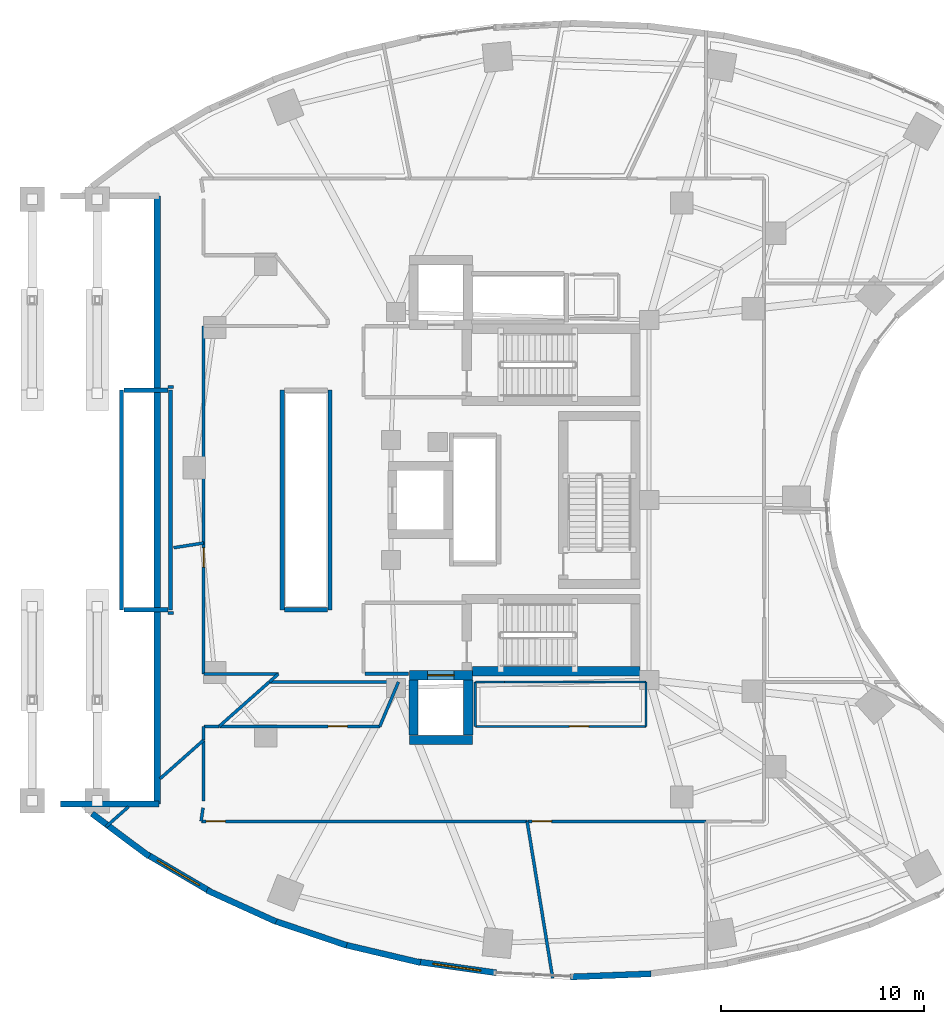
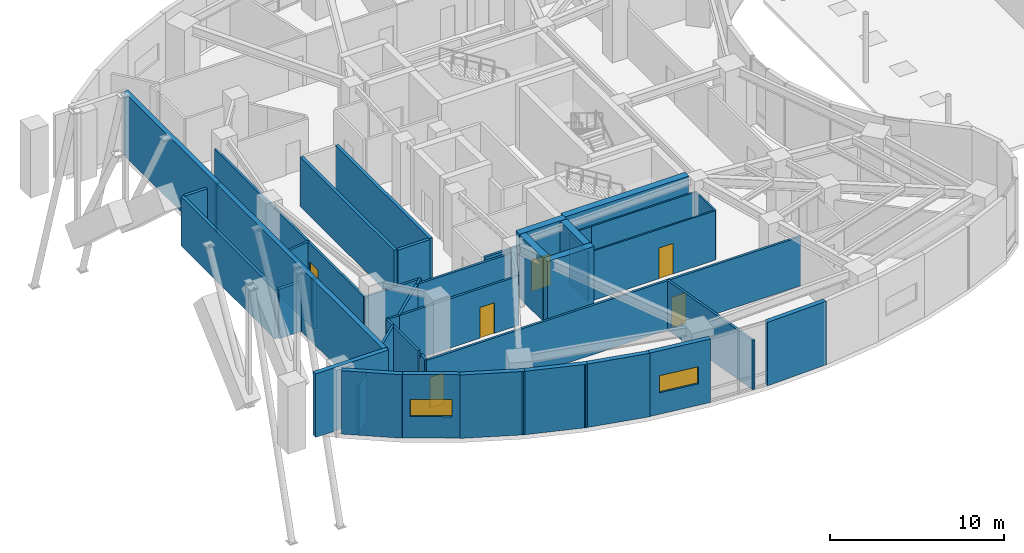
# One storey, part 15 of 24: 47 walls, 6 doors, 2 windows, 8 openings.
"""IFC4 building model written with IfcOpenShell, lengths in metres."""

import ifcopenshell
import ifcopenshell.guid

model = None  # the IFC model being written
_history = None  # IfcOwnerHistory: only IFC2X3 demands one
_inside = {}  # id of a spatial element -> (the spatial element, [elements in it])
_under = {}  # id of a project, library or spatial element -> (it, [spatial elements below it])
_declared = {}  # id of a project -> (the project, [libraries it declares])
_typed = {}  # id of a type object -> (the type object, [elements of that type])
_made_of = {}  # id of a material, layer set ... -> (it, [elements and type objects made of it])


def new_model(schema):
    """Start an empty IFC model of exactly this schema.

    Asked for "IFC4X3", IfcOpenShell would pick the latest addendum, in which some entities
    have other attributes; the version numbers below select the first issue.
    IFC2X3 requires an IfcOwnerHistory on every rooted entity: one is made here for all.
    """
    global model, _history
    if schema == "IFC4X3":
        model = ifcopenshell.file(schema_version=(4, 3, 0, 0))
    else:
        model = ifcopenshell.file(schema=schema)
    _inside.clear()
    _under.clear()
    _declared.clear()
    _typed.clear()
    _made_of.clear()
    _history = None
    if model.schema == "IFC2X3":
        org = make("IfcOrganization", Name="unknown")
        user = make(
            "IfcPersonAndOrganization",
            ThePerson=make("IfcPerson", FamilyName="unknown"),
            TheOrganization=org,
        )
        app = make(
            "IfcApplication",
            ApplicationDeveloper=org,
            Version="unknown",
            ApplicationFullName="unknown",
            ApplicationIdentifier="unknown",
        )
        _history = make(
            "IfcOwnerHistory",
            OwningUser=user,
            OwningApplication=app,
            ChangeAction="ADDED",
            CreationDate=0,
        )
    return model


def make(cls, **values):
    """One entity of the class cls with the attributes given. An attribute that is None is left unset."""
    return model.create_entity(
        cls, **{name: value for name, value in values.items() if value is not None}
    )


def rooted(cls, **values):
    """An entity with a GlobalId (a new one), such as an element, a storey or a relation."""
    return make(cls, GlobalId=ifcopenshell.guid.new(), OwnerHistory=_history, **values)


def si_unit(unit_type, name, prefix=None):
    """IfcSIUnit, for example si_unit("LENGTHUNIT", "METRE", prefix="MILLI")."""
    return make("IfcSIUnit", UnitType=unit_type, Prefix=prefix, Name=name)


def assignment(units):
    """IfcUnitAssignment: the units of a project."""
    return None if units is None else make("IfcUnitAssignment", Units=units)


def point(xyz):
    """IfcCartesianPoint."""
    return None if xyz is None else make("IfcCartesianPoint", Coordinates=xyz)


def direction(xyz):
    """IfcDirection."""
    return None if xyz is None else make("IfcDirection", DirectionRatios=xyz)


def frame(location, z_axis=None, x_axis=None):
    """IfcAxis2Placement3D, a coordinate frame: its origin and axes. An axis left out is left unset."""
    return make(
        "IfcAxis2Placement3D",
        Location=point(location),
        Axis=direction(z_axis),
        RefDirection=direction(x_axis),
    )


def frame_2d(location, x_axis=None):
    """IfcAxis2Placement2D, a coordinate frame in the plane: its origin and x axis."""
    return make(
        "IfcAxis2Placement2D", Location=point(location), RefDirection=direction(x_axis)
    )


def origin():
    """The frame at (0, 0, 0) with its axes left unset."""
    return frame((0.0, 0.0, 0.0))


def place(relative_to, where):
    """IfcLocalPlacement: puts the frame where relative to a parent placement (None: the world)."""
    return make(
        "IfcLocalPlacement", PlacementRelTo=relative_to, RelativePlacement=where
    )


def context(
    kind, dimensions, precision=None, world=None, true_north=None, identifier=None
):
    """IfcGeometricRepresentationContext, for example the 3D "Model" context."""
    return make(
        "IfcGeometricRepresentationContext",
        ContextIdentifier=identifier,
        ContextType=kind,
        CoordinateSpaceDimension=dimensions,
        Precision=precision,
        WorldCoordinateSystem=world,
        TrueNorth=true_north,
    )


def subcontext(parent, identifier, kind, view, scale=None):
    """IfcGeometricRepresentationSubContext, for example "Body" below "Model"."""
    return make(
        "IfcGeometricRepresentationSubContext",
        ContextIdentifier=identifier,
        ContextType=kind,
        ParentContext=parent,
        TargetScale=scale,
        TargetView=view,
    )


def project(units=None, contexts=None):
    """IfcProject with its units and contexts."""
    return rooted(
        "IfcProject",
        Name="project",
        RepresentationContexts=contexts,
        UnitsInContext=assignment(units),
    )


def spatial(cls, under=None, at=None, **own):
    """A site, building, storey or space (cls), placed at a placement, below another one or the project."""
    s = rooted(cls, ObjectPlacement=at, **own)
    if under is not None:
        _under.setdefault(under.id(), (under, []))[1].append(s)
    return s


def profile(cls, at=None, kind="AREA", **sizes):
    """A parametric profile (cls). Its sizes go by their IFC names, for example OverallWidth=200.0."""
    return make(cls, ProfileType=kind, Position=at, **sizes)


def rectangle(**sizes):
    """IfcRectangleProfileDef."""
    return profile("IfcRectangleProfileDef", **sizes)


def extrude(swept, where, along, depth):
    """IfcExtrudedAreaSolid: the profile swept, set in the frame where, extruded along a direction by depth."""
    return make(
        "IfcExtrudedAreaSolid",
        SweptArea=swept,
        Position=where,
        ExtrudedDirection=direction(along),
        Depth=depth,
    )


def shape(context_of_items, identifier, shape_type, items):
    """IfcShapeRepresentation: the items that make up one representation, for example the "Body"."""
    return make(
        "IfcShapeRepresentation",
        ContextOfItems=context_of_items,
        RepresentationIdentifier=identifier,
        RepresentationType=shape_type,
        Items=items,
    )


def material(Name=None, Category=None):
    """IfcMaterial."""
    return make("IfcMaterial", Name=Name, Category=Category)


def layer(
    of_material, thickness, ventilated=None, Name=None, Category=None, Priority=None
):
    """IfcMaterialLayer: one layer of a wall or slab, of a material (None: an air gap)."""
    return make(
        "IfcMaterialLayer",
        Material=of_material,
        LayerThickness=thickness,
        IsVentilated=ventilated,
        Name=Name,
        Category=Category,
        Priority=Priority,
    )


def layer_set(layers, Name=None):
    """IfcMaterialLayerSet."""
    return make("IfcMaterialLayerSet", MaterialLayers=layers, LayerSetName=Name)


def made_of(thing, what):
    """Note that an element or type object is made of a material, layer set ...; save() writes the relation."""
    if what is not None:
        _made_of.setdefault(what.id(), (what, []))[1].append(thing)
    return thing


def type_object(cls, material=None, **own):
    """A type object (cls), such as IfcWallType, which elements share."""
    return made_of(rooted(cls, **own), material)


def element(
    cls,
    number,
    at=None,
    inside=None,
    cuts=None,
    type_object=None,
    material=None,
    context=None,
    identifier="Body",
    shape_type=None,
    held_by="IfcProductDefinitionShape",
    body=None,
    shapes=None,
    **own,
):
    """One element of the class cls, such as IfcWall. Its Tag is "e" and its number.

    at: its placement. inside: the storey or other place that contains it. cuts: it is an
    opening in that element (IfcRelVoidsElement). A single representation is given by context,
    identifier, shape_type and body (its items); several are given by shapes. held_by: the class
    of the entity that holds the representations. save() writes the other relations.
    """
    e = rooted(cls, Tag="e%d" % number, ObjectPlacement=at, **own)
    if body is not None:
        shapes = [shape(context, identifier, shape_type, body)]
    if shapes is not None:
        e.Representation = make(held_by, Representations=shapes)
    if inside is not None:
        _inside.setdefault(inside.id(), (inside, []))[1].append(e)
    if cuts is not None:
        rooted(
            "IfcRelVoidsElement", RelatingBuildingElement=cuts, RelatedOpeningElement=e
        )
    if type_object is not None:
        _typed.setdefault(type_object.id(), (type_object, []))[1].append(e)
    return made_of(e, material)


def fill(opening, filler):
    """IfcRelFillsElement: the door or window that sits in an opening."""
    return rooted(
        "IfcRelFillsElement",
        RelatingOpeningElement=opening,
        RelatedBuildingElement=filler,
    )


def aggregate(whole, parts):
    """IfcRelAggregates: a whole, such as a stair, and the parts it consists of."""
    return rooted("IfcRelAggregates", RelatingObject=whole, RelatedObjects=parts)


def save(model, path):
    """Write the relations noted so far, then the file.

    IfcRelAggregates (storeys below a building ...), IfcRelContainedInSpatialStructure (elements
    in a storey), IfcRelDefinesByType, IfcRelAssociatesMaterial and IfcRelDeclares: one each for
    every whole, place, type object, material and project.
    """
    for whole, parts in _under.values():
        aggregate(whole, parts)
    for where, things in _inside.values():
        rooted(
            "IfcRelContainedInSpatialStructure",
            RelatedElements=things,
            RelatingStructure=where,
        )
    for kind, things in _typed.values():
        rooted("IfcRelDefinesByType", RelatedObjects=things, RelatingType=kind)
    for what, things in _made_of.values():
        rooted("IfcRelAssociatesMaterial", RelatedObjects=things, RelatingMaterial=what)
    for by, libraries in _declared.values():
        rooted("IfcRelDeclares", RelatingContext=by, RelatedDefinitions=libraries)
    model.write(path)


model = new_model("IFC4")

# Units and contexts
model_context = context("Model", 3, precision=1e-05, world=origin(), true_north=direction((0.0, 1.0)))
body_context = subcontext(model_context, "Body", "Model", "MODEL_VIEW")
ifc_project = project(units=[si_unit("LENGTHUNIT", "METRE"), si_unit("AREAUNIT", "SQUARE_METRE"), si_unit("VOLUMEUNIT", "CUBIC_METRE"), si_unit("PLANEANGLEUNIT", "RADIAN"), si_unit("MASSUNIT", "GRAM", prefix="KILO")], contexts=[model_context])

# Site, building, storey
site_placement = place(None, origin())
site = spatial("IfcSite", under=ifc_project, at=site_placement, CompositionType="ELEMENT")
building_placement = place(site_placement, origin())
building = spatial("IfcBuilding", under=site, at=building_placement, Name="Korentha Bioscience Tower", CompositionType="ELEMENT")
storey_placement = place(building_placement, frame((0.0, 0.0, 10.199951171875)))
storey = spatial("IfcBuildingStorey", under=building, at=storey_placement, Name="L02", CompositionType="ELEMENT", Elevation=10.199951171875)

# Wall, opening, door
ifc_material_1 = material(Name="Double-Stud Acoustic Gypsum", Category="gypsum")
ifc_layer_1 = layer(ifc_material_1, 0.14990234375, Name="Double-Stud Acoustic Gypsum")
ifc_layer_set_1 = layer_set([ifc_layer_1], Name="Double-Stud Acoustic Gypsum (IW-L150)")
wall_type_1 = type_object("IfcWallType", Name="Acoustic Laboratory Partition Wall 150", PredefinedType="PARTITIONING", material=ifc_layer_set_1)
wall_1_placement = place(storey_placement, frame((15.6298828125, 24.884521484375, 0.0), z_axis=(0.0, 0.0, 1.0), x_axis=(0.0, -1.0, 0.0)))
wall_1 = element("IfcWall", 1, at=wall_1_placement, inside=storey, type_object=wall_type_1, Name="L02 Translational Symposium Lecture Room 01 Entrance Wall", PredefinedType="PARTITIONING", context=body_context, shape_type="SweptSolid", body=[
    extrude(rectangle(XDim=6.4345703125, YDim=0.14990234375, at=frame_2d((3.21728515625, 0.0))), origin(), (0.0, 0.0, 1.0), 3.4599609375),
])
opening_1_placement = place(wall_1_placement, frame((0.239990234375, 0.0, 0.0)))
opening_1 = element("IfcOpeningElement", 2, at=opening_1_placement, cuts=wall_1, Name="Opening ID-10R", PredefinedType="OPENING", context=body_context, shape_type="SweptSolid", body=[
    extrude(rectangle(XDim=0.949951171875, YDim=2.14990234375, at=frame_2d((0.47509765625, 1.074951171875))), frame((0.0, 0.08984375, 0.0), z_axis=(0.0, -1.0, 0.0), x_axis=(1.0, 0.0, 0.0)), (0.0, 0.0, 1.0), 0.1796875),
])
ifc_material_2 = material(Name="Phenolic Laminate Timber Core", Category="wood")
door_type_1 = type_object("IfcDoorType", Name="Laboratory Single Leaf Door 950x2150 Right", OperationType="SINGLE_SWING_RIGHT", PredefinedType="DOOR", material=ifc_material_2)
door_1_placement = place(opening_1_placement, origin())
door_1 = element("IfcDoor", 3, at=door_1_placement, inside=storey, type_object=door_type_1, Name="L02 Translational Symposium Lecture Room 01 Door", OperationType="SINGLE_SWING_RIGHT", OverallHeight=2.14990234375, OverallWidth=0.949951171875, PredefinedType="DOOR", context=body_context, shape_type="SweptSolid", body=[
    extrude(rectangle(XDim=0.949951171875, YDim=2.14990234375, at=frame_2d((0.47509765625, 1.074951171875))), frame((0.0, 0.02490234375, 0.0), z_axis=(0.0, -1.0, 0.0), x_axis=(1.0, 0.0, 0.0)), (0.0, 0.0, 1.0), 0.050048828125),
])
fill(opening_1, door_1)

wall_2_placement = place(storey_placement, frame((24.29833984375, 15.860107421875, 0.0), z_axis=(0.0, 0.0, 1.0), x_axis=(-1.0, 0.0, 0.0)))
wall_2 = element("IfcWall", 4, at=wall_2_placement, inside=storey, type_object=wall_type_1, Name="L02 Academic Poster Exhibition Lounge 02 Entrance Wall", PredefinedType="PARTITIONING", context=body_context, shape_type="SweptSolid", body=[
    extrude(rectangle(XDim=7.8916015625, YDim=0.14990234375, at=frame_2d((3.94580078125, 0.0))), origin(), (0.0, 0.0, 1.0), 3.4599609375),
])
opening_2_placement = place(wall_2_placement, frame((1.596435546875, 0.0, 0.0)))
opening_2 = element("IfcOpeningElement", 5, at=opening_2_placement, cuts=wall_2, Name="Opening ID-10L", PredefinedType="OPENING", context=body_context, shape_type="SweptSolid", body=[
    extrude(rectangle(XDim=0.949951171875, YDim=2.14990234375, at=frame_2d((0.47509765625, 1.074951171875))), frame((0.0, 0.08984375, 0.0), z_axis=(0.0, -1.0, 0.0), x_axis=(1.0, 0.0, 0.0)), (0.0, 0.0, 1.0), 0.1796875),
])
door_type_2 = type_object("IfcDoorType", Name="Laboratory Single Leaf Door 950x2150 Left", OperationType="SINGLE_SWING_LEFT", PredefinedType="DOOR", material=ifc_material_2)
door_2_placement = place(opening_2_placement, origin())
door_2 = element("IfcDoor", 6, at=door_2_placement, inside=storey, type_object=door_type_2, Name="L02 Academic Poster Exhibition Lounge 02 Door", OperationType="SINGLE_SWING_LEFT", OverallHeight=2.14990234375, OverallWidth=0.949951171875, PredefinedType="DOOR", context=body_context, shape_type="SweptSolid", body=[
    extrude(rectangle(XDim=0.949951171875, YDim=2.14990234375, at=frame_2d((0.47509765625, 1.074951171875))), frame((0.0, 0.02490234375, 0.0), z_axis=(0.0, -1.0, 0.0), x_axis=(1.0, 0.0, 0.0)), (0.0, 0.0, 1.0), 0.050048828125),
])
fill(opening_2, door_2)

wall_3_placement = place(storey_placement, frame((15.51806640625, 11.18994140625, 0.0), z_axis=(0.0, 0.0, 1.0), x_axis=(1.0, 0.0, 0.0)))
wall_3 = element("IfcWall", 7, at=wall_3_placement, inside=storey, type_object=wall_type_1, Name="L02 Industry Incubator Co-Working Studio 03 Entrance Wall", PredefinedType="PARTITIONING", context=body_context, shape_type="SweptSolid", body=[
    extrude(rectangle(XDim=16.0302734375, YDim=0.14990234375, at=frame_2d((8.01513671875, 0.0))), origin(), (0.0, 0.0, 1.0), 3.4599609375),
])
opening_3_placement = place(wall_3_placement, frame((0.239990234375, 0.0, 0.0)))
opening_3 = element("IfcOpeningElement", 8, at=opening_3_placement, cuts=wall_3, Name="Opening ID-10R", PredefinedType="OPENING", context=body_context, shape_type="SweptSolid", body=[
    extrude(rectangle(XDim=0.949951171875, YDim=2.14990234375, at=frame_2d((0.47509765625, 1.074951171875))), frame((0.0, 0.08984375, 0.0), z_axis=(0.0, -1.0, 0.0), x_axis=(1.0, 0.0, 0.0)), (0.0, 0.0, 1.0), 0.1796875),
])
door_3_placement = place(opening_3_placement, origin())
door_3 = element("IfcDoor", 9, at=door_3_placement, inside=storey, type_object=door_type_1, Name="L02 Industry Incubator Co-Working Studio 03 Door", OperationType="SINGLE_SWING_RIGHT", OverallHeight=2.14990234375, OverallWidth=0.949951171875, PredefinedType="DOOR", context=body_context, shape_type="SweptSolid", body=[
    extrude(rectangle(XDim=0.949951171875, YDim=2.14990234375, at=frame_2d((0.47509765625, 1.074951171875))), frame((0.0, 0.02490234375, 0.0), z_axis=(0.0, -1.0, 0.0), x_axis=(1.0, 0.0, 0.0)), (0.0, 0.0, 1.0), 0.050048828125),
])
fill(opening_3, door_3)

wall_4_placement = place(storey_placement, frame((31.55859375, 11.18994140625, 0.0), z_axis=(0.0, 0.0, 1.0), x_axis=(1.0, 0.0, 0.0)))
wall_4 = element("IfcWall", 10, at=wall_4_placement, inside=storey, type_object=wall_type_1, Name="L02 Bioscience Reference Library 05 Entrance Wall", PredefinedType="PARTITIONING", context=body_context, shape_type="SweptSolid", body=[
    extrude(rectangle(XDim=8.789306640625, YDim=0.14990234375, at=frame_2d((4.39453125, 0.0))), origin(), (0.0, 0.0, 1.0), 3.4599609375),
])
opening_4_placement = place(wall_4_placement, frame((0.239990234375, 0.0, 0.0)))
opening_4 = element("IfcOpeningElement", 11, at=opening_4_placement, cuts=wall_4, Name="Opening ID-10R", PredefinedType="OPENING", context=body_context, shape_type="SweptSolid", body=[
    extrude(rectangle(XDim=0.949951171875, YDim=2.14990234375, at=frame_2d((0.47509765625, 1.074951171875))), frame((0.0, 0.08984375, 0.0), z_axis=(0.0, -1.0, 0.0), x_axis=(1.0, 0.0, 0.0)), (0.0, 0.0, 1.0), 0.1796875),
])
door_4_placement = place(opening_4_placement, origin())
door_4 = element("IfcDoor", 12, at=door_4_placement, inside=storey, type_object=door_type_1, Name="L02 Bioscience Reference Library 05 Door", OperationType="SINGLE_SWING_RIGHT", OverallHeight=2.14990234375, OverallWidth=0.949951171875, PredefinedType="DOOR", context=body_context, shape_type="SweptSolid", body=[
    extrude(rectangle(XDim=0.949951171875, YDim=2.14990234375, at=frame_2d((0.47509765625, 1.074951171875))), frame((0.0, 0.02490234375, 0.0), z_axis=(0.0, -1.0, 0.0), x_axis=(1.0, 0.0, 0.0)), (0.0, 0.0, 1.0), 0.050048828125),
])
fill(opening_4, door_4)

# Walls
wall_5_placement = place(storey_placement, frame((13.8798828125, 21.43994140625, 0.0), z_axis=(0.0, 0.0, 1.0), x_axis=(1.0, 0.0, 0.0)))
element("IfcWall", 13, at=wall_5_placement, inside=storey, type_object=wall_type_1, Name="L02 Interior Partition 024", PredefinedType="PARTITIONING", context=body_context, shape_type="SweptSolid", body=[
    extrude(rectangle(XDim=0.27001953125, YDim=0.14990234375, at=frame_2d((0.135009765625, 0.0))), origin(), (0.0, 0.0, 1.0), 3.4599609375),
])
wall_6_placement = place(storey_placement, frame((14.16015625, 24.65185546875, 0.0), z_axis=(0.0, 0.0, 1.0), x_axis=(0.987700362049, 0.156358545686, 0.0)))
element("IfcWall", 14, at=wall_6_placement, inside=storey, type_object=wall_type_1, Name="L02 Interior Partition 025", PredefinedType="PARTITIONING", context=body_context, shape_type="SweptSolid", body=[
    extrude(rectangle(XDim=1.488037109375, YDim=0.14990234375, at=frame_2d((0.744140625, 0.0))), origin(), (0.0, 0.0, 1.0), 3.4599609375),
])
wall_7_placement = place(storey_placement, frame((15.639892578125, 18.43994140625, 0.0), z_axis=(0.0, 0.0, 1.0), x_axis=(1.0, 0.0, 0.0)))
element("IfcWall", 15, at=wall_7_placement, inside=storey, type_object=wall_type_1, Name="L02 Interior Partition 026", PredefinedType="PARTITIONING", context=body_context, shape_type="SweptSolid", body=[
    extrude(rectangle(XDim=3.6650390625, YDim=0.14990234375, at=frame_2d((1.83251953125, 0.0))), origin(), (0.0, 0.0, 1.0), 3.4599609375),
])
wall_8_placement = place(storey_placement, frame((19.304931640625, 18.43994140625, 0.0), z_axis=(0.0, 0.0, 1.0), x_axis=(-0.748582262775, -0.66304192617, 0.0)))
element("IfcWall", 16, at=wall_8_placement, inside=storey, type_object=wall_type_1, Name="L02 Interior Partition 027", PredefinedType="PARTITIONING", context=body_context, shape_type="SweptSolid", body=[
    extrude(rectangle(XDim=0.585205078125, YDim=0.14990234375, at=frame_2d((0.29248046875, 0.0))), origin(), (0.0, 0.0, 1.0), 3.4599609375),
])
wall_9_placement = place(storey_placement, frame((18.8623046875, 18.0478515625, 0.0), z_axis=(0.0, 0.0, 1.0), x_axis=(-0.748677348716, -0.662934557494, 0.0)))
element("IfcWall", 17, at=wall_9_placement, inside=storey, type_object=wall_type_1, Name="L02 Interior Partition 028", PredefinedType="PARTITIONING", context=body_context, shape_type="SweptSolid", body=[
    extrude(rectangle(XDim=3.300048828125, YDim=0.14990234375, at=frame_2d((1.64990234375, 0.0))), origin(), (0.0, 0.0, 1.0), 3.4599609375),
])
wall_10_placement = place(storey_placement, frame((16.3916015625, 15.860107421875, 0.0), z_axis=(0.0, 0.0, 1.0), x_axis=(-1.0, 0.0, 0.0)))
element("IfcWall", 18, at=wall_10_placement, inside=storey, type_object=wall_type_1, Name="L02 Interior Partition 029", PredefinedType="PARTITIONING", context=body_context, shape_type="SweptSolid", body=[
    extrude(rectangle(XDim=0.751708984375, YDim=0.14990234375, at=frame_2d((0.3759765625, 0.0))), origin(), (0.0, 0.0, 1.0), 3.4599609375),
])
wall_11_placement = place(storey_placement, frame((15.6298828125, 15.85009765625, 0.0), z_axis=(0.0, 0.0, 1.0), x_axis=(0.0, -1.0, 0.0)))
element("IfcWall", 19, at=wall_11_placement, inside=storey, type_object=wall_type_1, Name="L02 Interior Partition 030", PredefinedType="PARTITIONING", context=body_context, shape_type="SweptSolid", body=[
    extrude(rectangle(XDim=0.664794921875, YDim=0.14990234375, at=frame_2d((0.33251953125, 0.0))), origin(), (0.0, 0.0, 1.0), 3.4599609375),
])
wall_12_placement = place(storey_placement, frame((15.6298828125, 15.185302734375, 0.0), z_axis=(0.0, 0.0, 1.0), x_axis=(-0.748642683945, -0.662973703683, 0.0)))
element("IfcWall", 20, at=wall_12_placement, inside=storey, type_object=wall_type_1, Name="L02 Interior Partition 031", PredefinedType="PARTITIONING", context=body_context, shape_type="SweptSolid", body=[
    extrude(rectangle(XDim=2.8583984375, YDim=0.14990234375, at=frame_2d((1.42919921875, 0.0))), origin(), (0.0, 0.0, 1.0), 3.4599609375),
])
wall_13_placement = place(storey_placement, frame((25.21630859375, 18.048095703125, 0.0), z_axis=(0.0, 0.0, 1.0), x_axis=(-0.386879098856, -0.922130447859, 0.0)))
element("IfcWall", 21, at=wall_13_placement, inside=storey, type_object=wall_type_1, Name="L02 Interior Partition 032", PredefinedType="PARTITIONING", context=body_context, shape_type="SweptSolid", body=[
    extrude(rectangle(XDim=2.372802734375, YDim=0.14990234375, at=frame_2d((1.1865234375, 0.0))), origin(), (0.0, 0.0, 1.0), 3.4599609375),
])
wall_14_placement = place(storey_placement, frame((18.87744140625, 18.048095703125, 0.0), z_axis=(0.0, 0.0, 1.0), x_axis=(1.0, 0.0, 0.0)))
element("IfcWall", 22, at=wall_14_placement, inside=storey, type_object=wall_type_1, Name="L02 Interior Partition 033", PredefinedType="PARTITIONING", context=body_context, shape_type="SweptSolid", body=[
    extrude(rectangle(XDim=6.3388671875, YDim=0.14990234375, at=frame_2d((3.16943359375, 0.0))), origin(), (0.0, 0.0, 1.0), 3.4599609375),
])
wall_15_placement = place(storey_placement, frame((10.822021484375, 10.922119140625, 0.0), z_axis=(0.0, 0.0, 1.0), x_axis=(0.748655562424, 0.662959160772, 0.0)))
element("IfcWall", 23, at=wall_15_placement, inside=storey, type_object=wall_type_1, Name="L02 Interior Partition 034", PredefinedType="PARTITIONING", context=body_context, shape_type="SweptSolid", body=[
    extrude(rectangle(XDim=1.489990234375, YDim=0.14990234375, at=frame_2d((0.7451171875, 0.0))), origin(), (0.0, 0.0, 1.0), 3.4599609375),
])
wall_16_placement = place(storey_placement, frame((15.6298828125, 15.172119140625, 0.0), z_axis=(0.0, 0.0, 1.0), x_axis=(0.0, -1.0, 0.0)))
element("IfcWall", 24, at=wall_16_placement, inside=storey, type_object=wall_type_1, Name="L02 Interior Partition 035", PredefinedType="PARTITIONING", context=body_context, shape_type="SweptSolid", body=[
    extrude(rectangle(XDim=2.971923828125, YDim=0.14990234375, at=frame_2d((1.48583984375, 0.0))), origin(), (0.0, 0.0, 1.0), 3.4599609375),
])
wall_17_placement = place(storey_placement, frame((15.60546875, 11.857421875, 0.0), z_axis=(0.0, 0.0, 1.0), x_axis=(-0.146882189547, -0.989153993266, 0.0)))
element("IfcWall", 25, at=wall_17_placement, inside=storey, type_object=wall_type_1, Name="L02 Interior Partition 036", PredefinedType="PARTITIONING", context=body_context, shape_type="SweptSolid", body=[
    extrude(rectangle(XDim=0.6630859375, YDim=0.14990234375, at=frame_2d((0.33154296875, 0.0))), origin(), (0.0, 0.0, 1.0), 3.4599609375),
])
wall_18_placement = place(storey_placement, frame((31.54833984375, 11.18994140625, 0.0), z_axis=(0.0, 0.0, 1.0), x_axis=(0.160873008384, -0.986975113756, 0.0)))
element("IfcWall", 26, at=wall_18_placement, inside=storey, type_object=wall_type_1, Name="L02 Interior Partition 037", PredefinedType="PARTITIONING", context=body_context, shape_type="SweptSolid", body=[
    extrude(rectangle(XDim=7.817138671875, YDim=0.14990234375, at=frame_2d((3.90869140625, 0.0))), origin(), (0.0, 0.0, 1.0), 3.4599609375),
])
wall_19_placement = place(storey_placement, frame((15.6298828125, 35.550048828125, 0.0), z_axis=(0.0, 0.0, 1.0), x_axis=(0.0, -1.0, 0.0)))
element("IfcWall", 27, at=wall_19_placement, inside=storey, type_object=wall_type_1, Name="L02 Interior Partition 064", PredefinedType="PARTITIONING", context=body_context, shape_type="SweptSolid", body=[
    extrude(rectangle(XDim=10.655517578125, YDim=0.14990234375, at=frame_2d((5.32763671875, 0.0))), origin(), (0.0, 0.0, 1.0), 3.4599609375),
])
wall_20_placement = place(storey_placement, frame((14.14990234375, 32.56005859375, 0.0), z_axis=(0.0, 0.0, 1.0), x_axis=(-1.0, 0.0, 0.0)))
element("IfcWall", 28, at=wall_20_placement, inside=storey, type_object=wall_type_1, Name="L02 Interior Partition 065", PredefinedType="PARTITIONING", context=body_context, shape_type="SweptSolid", body=[
    extrude(rectangle(XDim=0.27001953125, YDim=0.14990234375, at=frame_2d((0.135009765625, 0.0))), origin(), (0.0, 0.0, 1.0), 3.4599609375),
])

# Wall, opening, door
ifc_material_3 = material(Name="Fire-Rated Framed Glass", Category="glass")
ifc_layer_2 = layer(ifc_material_3, 0.110107421875, Name="Fire-Rated Framed Glass")
ifc_layer_set_2 = layer_set([ifc_layer_2], Name="Fire-Rated Framed Glass (IW-G110)")
wall_type_2 = type_object("IfcWallType", Name="Demountable Glazed Office Partition 110", PredefinedType="MOVABLE", material=ifc_layer_set_2)
wall_21_placement = place(storey_placement, frame((37.389892578125, 15.860107421875, 0.0), z_axis=(0.0, 0.0, 1.0), x_axis=(-1.0, 0.0, 0.0)))
wall_21 = element("IfcWall", 29, at=wall_21_placement, inside=storey, type_object=wall_type_2, Name="L02 Visiting Scholars' Seminar Suite 04 Entrance Wall", PredefinedType="MOVABLE", context=body_context, shape_type="SweptSolid", body=[
    extrude(rectangle(XDim=8.389892578125, YDim=0.110107421875, at=frame_2d((4.19482421875, 0.0))), origin(), (0.0, 0.0, 1.0), 3.4599609375),
])
opening_5_placement = place(wall_21_placement, frame((2.818603515625, 0.0, 0.0)))
opening_5 = element("IfcOpeningElement", 30, at=opening_5_placement, cuts=wall_21, Name="Opening ID-10L", PredefinedType="OPENING", context=body_context, shape_type="SweptSolid", body=[
    extrude(rectangle(XDim=0.949951171875, YDim=2.14990234375, at=frame_2d((0.47509765625, 1.074951171875))), frame((0.0, 0.06982421875, 0.0), z_axis=(0.0, -1.0, 0.0), x_axis=(1.0, 0.0, 0.0)), (0.0, 0.0, 1.0), 0.139892578125),
])
door_5_placement = place(opening_5_placement, origin())
door_5 = element("IfcDoor", 31, at=door_5_placement, inside=storey, type_object=door_type_2, Name="L02 Visiting Scholars' Seminar Suite 04 Door", OperationType="SINGLE_SWING_LEFT", OverallHeight=2.14990234375, OverallWidth=0.949951171875, PredefinedType="DOOR", context=body_context, shape_type="SweptSolid", body=[
    extrude(rectangle(XDim=0.949951171875, YDim=2.14990234375, at=frame_2d((0.47509765625, 1.074951171875))), frame((0.0, 0.02490234375, 0.0), z_axis=(0.0, -1.0, 0.0), x_axis=(1.0, 0.0, 0.0)), (0.0, 0.0, 1.0), 0.050048828125),
])
fill(opening_5, door_5)

# Walls
wall_22_placement = place(storey_placement, frame((29.0, 18.048095703125, 0.0), z_axis=(0.0, 0.0, 1.0), x_axis=(1.0, 0.0, 0.0)))
element("IfcWall", 32, at=wall_22_placement, inside=storey, type_object=wall_type_2, Name="L02 Interior Partition 038", PredefinedType="MOVABLE", context=body_context, shape_type="SweptSolid", body=[
    extrude(rectangle(XDim=1.430419921875, YDim=0.110107421875, at=frame_2d((0.71533203125, 0.0))), origin(), (0.0, 0.0, 1.0), 3.4599609375),
])
wall_23_placement = place(storey_placement, frame((30.434814453125, 18.048095703125, 0.0), z_axis=(0.0, 0.0, 1.0), x_axis=(1.0, 0.0, 0.0)))
element("IfcWall", 33, at=wall_23_placement, inside=storey, type_object=wall_type_2, Name="L02 Interior Partition 039", PredefinedType="MOVABLE", context=body_context, shape_type="SweptSolid", body=[
    extrude(rectangle(XDim=6.955078125, YDim=0.110107421875, at=frame_2d((3.4775390625, 0.0))), origin(), (0.0, 0.0, 1.0), 3.4599609375),
])
wall_24_placement = place(storey_placement, frame((37.389892578125, 18.048095703125, 0.0), z_axis=(0.0, 0.0, 1.0), x_axis=(0.0, -1.0, 0.0)))
element("IfcWall", 34, at=wall_24_placement, inside=storey, type_object=wall_type_2, Name="L02 Interior Partition 040", PredefinedType="MOVABLE", context=body_context, shape_type="SweptSolid", body=[
    extrude(rectangle(XDim=2.18798828125, YDim=0.110107421875, at=frame_2d((1.093994140625, 0.0))), origin(), (0.0, 0.0, 1.0), 3.4599609375),
])
wall_25_placement = place(storey_placement, frame((29.0, 15.860107421875, 0.0), z_axis=(0.0, 0.0, 1.0), x_axis=(0.0, 1.0, 0.0)))
element("IfcWall", 35, at=wall_25_placement, inside=storey, type_object=wall_type_2, Name="L02 Interior Partition 041", PredefinedType="MOVABLE", context=body_context, shape_type="SweptSolid", body=[
    extrude(rectangle(XDim=2.187744140625, YDim=0.110107421875, at=frame_2d((1.09375, 0.0))), origin(), (0.0, 0.0, 1.0), 3.4599609375),
])
ifc_material_4 = material(Name="Gypsum-Clad Steel Stud", Category="steel")
ifc_layer_3 = layer(ifc_material_4, 0.159912109375, Name="Gypsum-Clad Steel Stud")
ifc_layer_set_3 = layer_set([ifc_layer_3], Name="Gypsum-Clad Steel Stud (IW-C160)")
wall_type_3 = type_object("IfcWallType", Name="Fire-Rated Corridor Partition Wall 160", PredefinedType="PARTITIONING", material=ifc_layer_set_3)
wall_26_placement = place(storey_placement, frame((23.580078125, 18.449951171875, 0.0), z_axis=(0.0, 0.0, 1.0), x_axis=(1.0, 0.0, 0.0)))
element("IfcWall", 36, at=wall_26_placement, inside=storey, type_object=wall_type_3, Name="L02 Firefighting Lobby Return Wall FFLS-S", PredefinedType="PARTITIONING", context=body_context, shape_type="SweptSolid", body=[
    extrude(rectangle(XDim=2.119873046875, YDim=0.159912109375, at=frame_2d((1.06005859375, 0.0))), origin(), (0.0, 0.0, 1.0), 3.4599609375),
])

# Wall, opening, window
ifc_material_5 = material(Name="Honed Limestone Precast Concrete C40", Category="masonry")
ifc_layer_4 = layer(ifc_material_5, 0.300048828125, Name="Honed Limestone Precast Concrete C40")
ifc_layer_set_4 = layer_set([ifc_layer_4], Name="Honed Limestone Precast Concrete C40 (EW-ST300)")
wall_type_4 = type_object("IfcWallType", Name="Honed Limestone Cavity Spandrel Wall 300", PredefinedType="STANDARD", material=ifc_layer_set_4)
wall_27_placement = place(storey_placement, frame((12.8427734375, 9.569091796875, 0.0), z_axis=(0.0, 0.0, 1.0), x_axis=(0.862473134325, -0.506102847817, 0.0)))
wall_27 = element("IfcWall", 37, at=wall_27_placement, inside=storey, type_object=wall_type_4, Name="L02 Honed Limestone Spandrel Wall 26", PredefinedType="STANDARD", context=body_context, shape_type="SweptSolid", body=[
    extrude(rectangle(XDim=3.59521484375, YDim=0.300048828125, at=frame_2d((1.797607421875, 0.0))), origin(), (0.0, 0.0, 1.0), 4.449951171875),
])
opening_6_placement = place(wall_27_placement, frame((0.59765625, 0.0, 1.5)))
opening_6 = element("IfcOpeningElement", 38, at=opening_6_placement, cuts=wall_27, Name="Opening WN-04", PredefinedType="OPENING", context=body_context, shape_type="SweptSolid", body=[
    extrude(rectangle(XDim=2.39990234375, YDim=1.199951171875, at=frame_2d((1.199951171875, 0.60009765625))), frame((0.0, 0.1650390625, 0.0), z_axis=(0.0, -1.0, 0.0), x_axis=(1.0, 0.0, 0.0)), (0.0, 0.0, 1.0), 0.329833984375),
])
ifc_material_6 = material(Name="Thermally Broken Aluminium Triple Glazing", Category="aluminium")
window_type = type_object("IfcWindowType", Name="Podium Clerestory Ribbon Window 2400x1200", PartitioningType="DOUBLE_PANEL_HORIZONTAL", PredefinedType="WINDOW", material=ifc_material_6)
window_1_placement = place(opening_6_placement, origin())
window_1 = element("IfcWindow", 39, at=window_1_placement, inside=storey, type_object=window_type, Name="L02 Facade Window 26", OverallHeight=1.199951171875, OverallWidth=2.39990234375, PartitioningType="DOUBLE_PANEL_HORIZONTAL", PredefinedType="WINDOW", context=body_context, shape_type="SweptSolid", body=[
    extrude(rectangle(XDim=2.39990234375, YDim=1.199951171875, at=frame_2d((1.199951171875, 0.60009765625))), frame((0.0, 0.030029296875, 0.0), z_axis=(0.0, -1.0, 0.0), x_axis=(1.0, 0.0, 0.0)), (0.0, 0.0, 1.0), 0.06005859375),
])
fill(opening_6, window_1)

wall_28_placement = place(storey_placement, frame((26.150390625, 4.2900390625, 0.0), z_axis=(0.0, 0.0, 1.0), x_axis=(0.990165573956, -0.139900450869, 0.0)))
wall_28 = element("IfcWall", 40, at=wall_28_placement, inside=storey, type_object=wall_type_4, Name="L02 Honed Limestone Spandrel Wall 30", PredefinedType="STANDARD", context=body_context, shape_type="SweptSolid", body=[
    extrude(rectangle(XDim=3.910888671875, YDim=0.300048828125, at=frame_2d((1.95556640625, 0.0))), origin(), (0.0, 0.0, 1.0), 4.449951171875),
])
opening_7_placement = place(wall_28_placement, frame((0.755615234375, 0.0, 1.5)))
opening_7 = element("IfcOpeningElement", 41, at=opening_7_placement, cuts=wall_28, Name="Opening WN-04", PredefinedType="OPENING", context=body_context, shape_type="SweptSolid", body=[
    extrude(rectangle(XDim=2.39990234375, YDim=1.199951171875, at=frame_2d((1.199951171875, 0.60009765625))), frame((0.0, 0.1650390625, 0.0), z_axis=(0.0, -1.0, 0.0), x_axis=(1.0, 0.0, 0.0)), (0.0, 0.0, 1.0), 0.329833984375),
])
window_2_placement = place(opening_7_placement, origin())
window_2 = element("IfcWindow", 42, at=window_2_placement, inside=storey, type_object=window_type, Name="L02 Facade Window 30", OverallHeight=1.199951171875, OverallWidth=2.39990234375, PartitioningType="DOUBLE_PANEL_HORIZONTAL", PredefinedType="WINDOW", context=body_context, shape_type="SweptSolid", body=[
    extrude(rectangle(XDim=2.39990234375, YDim=1.199951171875, at=frame_2d((1.199951171875, 0.60009765625))), frame((0.0, 0.030029296875, 0.0), z_axis=(0.0, -1.0, 0.0), x_axis=(1.0, 0.0, 0.0)), (0.0, 0.0, 1.0), 0.06005859375),
])
fill(opening_7, window_2)

# Walls
wall_29_placement = place(storey_placement, frame((10.141845703125, 11.573486328125, 0.0), z_axis=(0.0, 0.0, 1.0), x_axis=(0.800823020995, -0.598901067827, 0.0)))
element("IfcWall", 43, at=wall_29_placement, inside=storey, type_object=wall_type_4, Name="L02 Limestone Perimeter Closure Wall 25", PredefinedType="STANDARD", context=body_context, shape_type="SweptSolid", body=[
    extrude(rectangle(XDim=3.520751953125, YDim=0.300048828125, at=frame_2d((1.76025390625, 0.0))), origin(), (0.0, 0.0, 1.0), 4.449951171875),
])
wall_30_placement = place(storey_placement, frame((15.7958984375, 7.80224609375, 0.0), z_axis=(0.0, 0.0, 1.0), x_axis=(0.910623406862, -0.413237233166, 0.0)))
element("IfcWall", 44, at=wall_30_placement, inside=storey, type_object=wall_type_4, Name="L02 Limestone Perimeter Closure Wall 27", PredefinedType="STANDARD", context=body_context, shape_type="SweptSolid", body=[
    extrude(rectangle(XDim=3.73974609375, YDim=0.300048828125, at=frame_2d((1.869873046875, 0.0))), origin(), (0.0, 0.0, 1.0), 4.449951171875),
])
wall_31_placement = place(storey_placement, frame((19.0400390625, 6.32080078125, 0.0), z_axis=(0.0, 0.0, 1.0), x_axis=(0.94702579403, -0.321157508773, 0.0)))
element("IfcWall", 45, at=wall_31_placement, inside=storey, type_object=wall_type_4, Name="L02 Limestone Perimeter Closure Wall 28", PredefinedType="STANDARD", context=body_context, shape_type="SweptSolid", body=[
    extrude(rectangle(XDim=3.829833984375, YDim=0.300048828125, at=frame_2d((1.9150390625, 0.0))), origin(), (0.0, 0.0, 1.0), 4.449951171875),
])
wall_32_placement = place(storey_placement, frame((22.50048828125, 5.138427734375, 0.0), z_axis=(0.0, 0.0, 1.0), x_axis=(0.973197600754, -0.229970497863, 0.0)))
element("IfcWall", 46, at=wall_32_placement, inside=storey, type_object=wall_type_4, Name="L02 Limestone Perimeter Closure Wall 29", PredefinedType="STANDARD", context=body_context, shape_type="SweptSolid", body=[
    extrude(rectangle(XDim=3.9013671875, YDim=0.300048828125, at=frame_2d((1.95068359375, 0.0))), origin(), (0.0, 0.0, 1.0), 4.449951171875),
])
wall_33_placement = place(storey_placement, frame((33.66796875, 3.53759765625, 0.0), z_axis=(0.0, 0.0, 1.0), x_axis=(0.999245411623, 0.038840794937, 0.0)))
element("IfcWall", 47, at=wall_33_placement, inside=storey, type_object=wall_type_4, Name="L02 Limestone Perimeter Closure Wall 32", PredefinedType="STANDARD", context=body_context, shape_type="SweptSolid", body=[
    extrude(rectangle(XDim=3.978759765625, YDim=0.300048828125, at=frame_2d((1.9892578125, 0.0))), origin(), (0.0, 0.0, 1.0), 4.449951171875),
])
wall_34_placement = place(storey_placement, frame((13.35009765625, 12.050048828125, 0.0), z_axis=(0.0, 0.0, 1.0), x_axis=(0.0, 1.0, 0.0)))
element("IfcWall", 48, at=wall_34_placement, inside=storey, type_object=wall_type_4, Name="L02 Arch Plaza Recess East Enclosure Wall", PredefinedType="STANDARD", context=body_context, shape_type="SweptSolid", body=[
    extrude(rectangle(XDim=29.89990234375, YDim=0.300048828125, at=frame_2d((14.949951171875, 0.0))), origin(), (0.0, 0.0, 1.0), 4.449951171875),
])
wall_35_placement = place(storey_placement, frame((8.60009765625, 12.050048828125, 0.0), z_axis=(0.0, 0.0, 1.0), x_axis=(1.0, 0.0, 0.0)))
element("IfcWall", 49, at=wall_35_placement, inside=storey, type_object=wall_type_4, Name="L02 Arch Plaza Recess South Cheek Wall", PredefinedType="STANDARD", context=body_context, shape_type="SweptSolid", body=[
    extrude(rectangle(XDim=4.849853515625, YDim=0.300048828125, at=frame_2d((2.4248046875, 0.0))), origin(), (0.0, 0.0, 1.0), 4.449951171875),
])
ifc_material_7 = material(Name="Autoclaved Aerated Concrete Block C25", Category="concrete")
ifc_layer_5 = layer(ifc_material_7, 0.199951171875, Name="Autoclaved Aerated Concrete Block C25")
ifc_layer_set_5 = layer_set([ifc_layer_5], Name="Autoclaved Aerated Concrete Block C25 (IW-S200)")
wall_type_5 = type_object("IfcWallType", Name="Lift and Riser Shaft Enclosure Wall 200", PredefinedType="PARTITIONING", material=ifc_layer_set_5)
for number, where, z_axis, x_axis, name in (
    (50, (11.60009765625, 21.60009765625, 0.0), (0.0, 0.0, 1.0), (0.0, 1.0, 0.0), "L02 Lift Bank LOW Shaft Wall -X"),
    (51, (14.0, 21.60009765625, 0.0), (0.0, 0.0, 1.0), (0.0, 1.0, 0.0), "L02 Lift Bank LOW Shaft Wall +X"),
):
    element("IfcWall", number, at=place(storey_placement, frame(where, z_axis=z_axis, x_axis=x_axis)), inside=storey, type_object=wall_type_5, Name=name, PredefinedType="PARTITIONING", context=body_context, shape_type="SweptSolid", body=[
        extrude(rectangle(XDim=10.7998046875, YDim=0.199951171875, at=frame_2d((5.39990234375, 0.0))), origin(), (0.0, 0.0, 1.0), 3.4599609375),
    ])
for number, where, z_axis, x_axis, name in (
    (52, (11.719970703125, 21.60009765625, 0.0), (0.0, 0.0, 1.0), (1.0, 0.0, 0.0), "L02 Lift Bank LOW Shaft Wall -Y"),
    (53, (11.719970703125, 32.39990234375, 0.0), (0.0, 0.0, 1.0), (1.0, 0.0, 0.0), "L02 Lift Bank LOW Shaft Wall +Y"),
):
    element("IfcWall", number, at=place(storey_placement, frame(where, z_axis=z_axis, x_axis=x_axis)), inside=storey, type_object=wall_type_5, Name=name, PredefinedType="PARTITIONING", context=body_context, shape_type="SweptSolid", body=[
        extrude(rectangle(XDim=2.159912109375, YDim=0.199951171875, at=frame_2d((1.080078125, 0.0))), origin(), (0.0, 0.0, 1.0), 3.4599609375),
    ])
for number, where, z_axis, x_axis, name in (
    (54, (19.5, 21.60009765625, 0.0), (0.0, 0.0, 1.0), (0.0, 1.0, 0.0), "L02 Lift Bank MID Shaft Wall -X"),
    (55, (21.85009765625, 21.60009765625, 0.0), (0.0, 0.0, 1.0), (0.0, 1.0, 0.0), "L02 Lift Bank MID Shaft Wall +X"),
):
    element("IfcWall", number, at=place(storey_placement, frame(where, z_axis=z_axis, x_axis=x_axis)), inside=storey, type_object=wall_type_5, Name=name, PredefinedType="PARTITIONING", context=body_context, shape_type="SweptSolid", body=[
        extrude(rectangle(XDim=10.7998046875, YDim=0.199951171875, at=frame_2d((5.39990234375, 0.0))), origin(), (0.0, 0.0, 1.0), 3.4599609375),
    ])
wall_36_placement = place(storey_placement, frame((19.6201171875, 21.60009765625, 0.0), z_axis=(0.0, 0.0, 1.0), x_axis=(1.0, 0.0, 0.0)))
element("IfcWall", 56, at=wall_36_placement, inside=storey, type_object=wall_type_5, Name="L02 Lift Bank MID Shaft Wall -Y", PredefinedType="PARTITIONING", context=body_context, shape_type="SweptSolid", body=[
    extrude(rectangle(XDim=2.10986328125, YDim=0.199951171875, at=frame_2d((1.054931640625, 0.0))), origin(), (0.0, 0.0, 1.0), 3.4599609375),
])
ifc_material_8 = material(Name="Concrete C80", Category="concrete")
ifc_layer_6 = layer(ifc_material_8, 0.449951171875, Name="Concrete C80")
ifc_layer_set_6 = layer_set([ifc_layer_6], Name="Concrete C80 (CW-C80)")
wall_type_6 = type_object("IfcWallType", Name="Lower Core Shear Wall 450", PredefinedType="SHEAR", material=ifc_layer_set_6)
wall_37_placement = place(storey_placement, frame((28.85205078125, 18.574951171875, 0.0), z_axis=(0.0, 0.0, 1.0), x_axis=(1.0, 0.0, 0.0)))
element("IfcWall", 57, at=wall_37_placement, inside=storey, type_object=wall_type_6, Name="L02 Core Shear Wall ST2-S", PredefinedType="SHEAR", context=body_context, shape_type="SweptSolid", body=[
    extrude(rectangle(XDim=8.248046875, YDim=0.449951171875, at=frame_2d((4.1240234375, 0.0))), origin(), (0.0, 0.0, 1.0), 4.449951171875),
])
wall_38_placement = place(storey_placement, frame((25.75, 15.199951171875, 0.0), z_axis=(0.0, 0.0, 1.0), x_axis=(1.0, 0.0, 0.0)))
element("IfcWall", 58, at=wall_38_placement, inside=storey, type_object=wall_type_6, Name="L02 Core Shear Wall FFL1-S", PredefinedType="SHEAR", context=body_context, shape_type="SweptSolid", body=[
    extrude(rectangle(XDim=3.10009765625, YDim=0.449951171875, at=frame_2d((1.550048828125, 0.0))), origin(), (0.0, 0.0, 1.0), 4.449951171875),
])

# Wall, opening, door
wall_39_placement = place(storey_placement, frame((25.75, 18.3798828125, 0.0), z_axis=(0.0, 0.0, 1.0), x_axis=(1.0, 0.0, 0.0)))
wall_39 = element("IfcWall", 59, at=wall_39_placement, inside=storey, type_object=wall_type_6, Name="L02 Core Shear Wall FFL1-N", PredefinedType="SHEAR", context=body_context, shape_type="SweptSolid", body=[
    extrude(rectangle(XDim=3.10009765625, YDim=0.449951171875, at=frame_2d((1.550048828125, 0.0))), origin(), (0.0, 0.0, 1.0), 4.449951171875),
])
opening_8_placement = place(wall_39_placement, frame((0.89990234375, 0.0, 0.0)))
opening_8 = element("IfcOpeningElement", 60, at=opening_8_placement, cuts=wall_39, Name="Opening LD-13", PredefinedType="OPENING", context=body_context, shape_type="SweptSolid", body=[
    extrude(rectangle(XDim=1.300048828125, YDim=2.199951171875, at=frame_2d((0.64990234375, 1.10009765625))), frame((0.0, 0.23974609375, 0.0), z_axis=(0.0, -1.0, 0.0), x_axis=(1.0, 0.0, 0.0)), (0.0, 0.0, 1.0), 0.479736328125),
])
ifc_material_9 = material(Name="Brushed Stainless Steel 316", Category="steel")
door_type_3 = type_object("IfcDoorType", Name="Service & Firefighting Lift Landing Door 1300x2300", OperationType="DOUBLE_DOOR_SLIDING", PredefinedType="DOOR", material=ifc_material_9)
door_6_placement = place(opening_8_placement, origin())
door_6 = element("IfcDoor", 61, at=door_6_placement, inside=storey, type_object=door_type_3, Name="L02 FFL-1 Sliding Lift Landing Door", OperationType="DOUBLE_DOOR_SLIDING", OverallHeight=2.199951171875, OverallWidth=1.300048828125, PredefinedType="DOOR", context=body_context, shape_type="SweptSolid", body=[
    extrude(rectangle(XDim=1.300048828125, YDim=2.199951171875, at=frame_2d((0.64990234375, 1.10009765625))), frame((0.0, 0.02490234375, 0.0), z_axis=(0.0, -1.0, 0.0), x_axis=(1.0, 0.0, 0.0)), (0.0, 0.0, 1.0), 0.050048828125),
])
fill(opening_8, door_6)

# Walls
for number, where, z_axis, x_axis, name in (
    (62, (25.949951171875, 15.43994140625, 0.0), (0.0, 0.0, 1.0), (0.0, 1.0, 0.0), "L02 Core Shear Wall FFL1-W"),
    (63, (28.64990234375, 15.43994140625, 0.0), (0.0, 0.0, 1.0), (0.0, 1.0, 0.0), "L02 Core Shear Wall FFL1-E"),
):
    element("IfcWall", number, at=place(storey_placement, frame(where, z_axis=z_axis, x_axis=x_axis)), inside=storey, type_object=wall_type_6, Name=name, PredefinedType="SHEAR", context=body_context, shape_type="SweptSolid", body=[
        extrude(rectangle(XDim=2.699951171875, YDim=0.449951171875, at=frame_2d((1.35009765625, 0.0))), origin(), (0.0, 0.0, 1.0), 4.449951171875),
    ])

save(model, "model.ifc")
